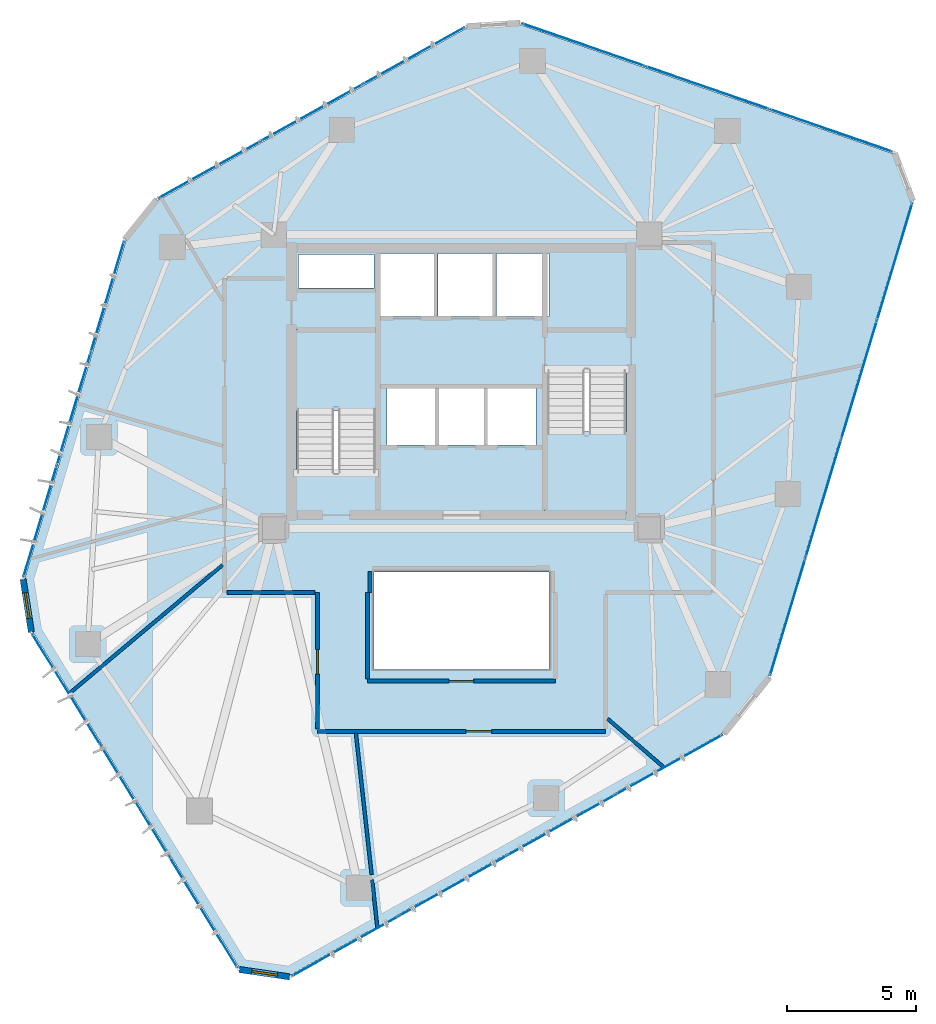
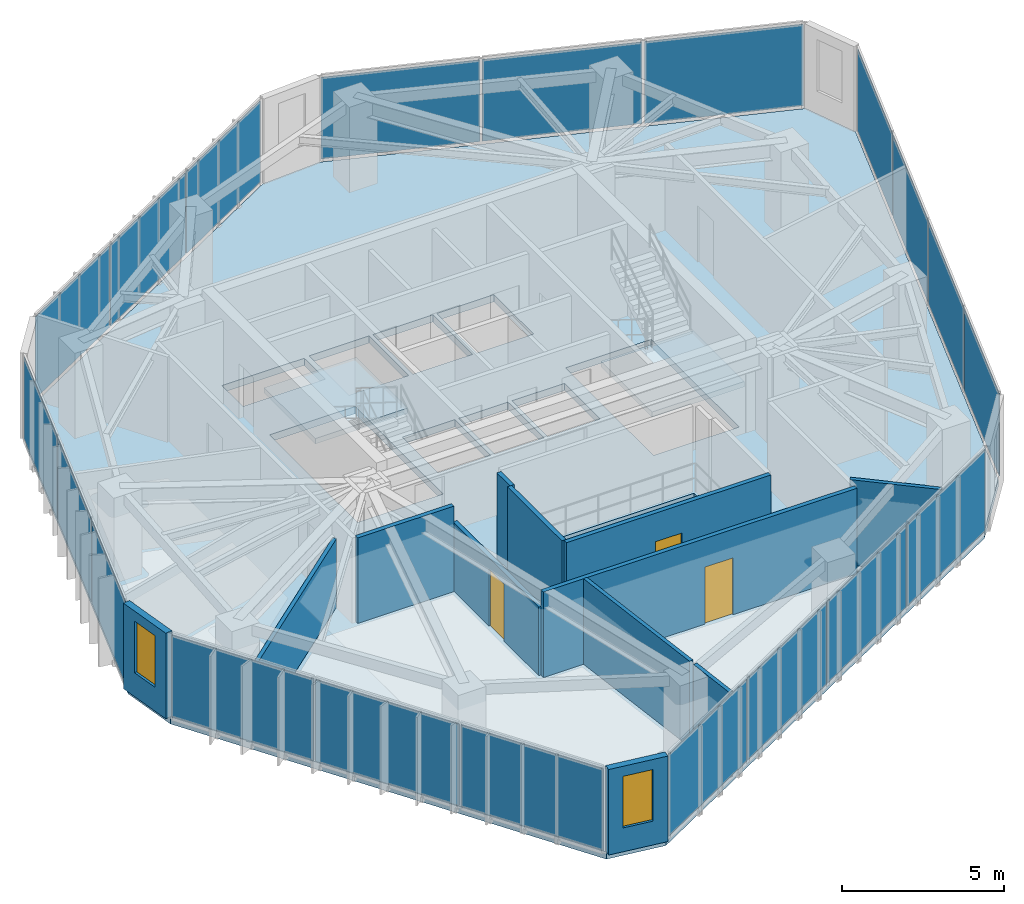
# One storey, part 15 of 19: 20 plates, 12 walls, 3 doors, 3 slabs, 2 windows, 5 openings, 8 elements without a shape of their own.
"""IFC4 building model written with IfcOpenShell, lengths in metres."""

from ifc_helpers import new_model, si_unit, direction, frame, frame_2d, origin, origin_2d, place, context, subcontext, project, spatial, polyline, rectangle, outline, extrude, source, transform, mapped, material, layer, layer_set, type_object, type_shapes, element, fill, aggregate, save


model = new_model("IFC4")

# Units and contexts
model_context = context("Model", 3, precision=1e-05, world=origin(), true_north=direction((0.0, 1.0)))
body_context = subcontext(model_context, "Body", "Model", "MODEL_VIEW")
ifc_project = project(units=[si_unit("LENGTHUNIT", "METRE"), si_unit("AREAUNIT", "SQUARE_METRE"), si_unit("VOLUMEUNIT", "CUBIC_METRE"), si_unit("PLANEANGLEUNIT", "RADIAN"), si_unit("MASSUNIT", "GRAM", prefix="KILO")], contexts=[model_context])

# Site, building, storey
site_placement = place(None, origin())
site = spatial("IfcSite", under=ifc_project, at=site_placement, CompositionType="ELEMENT")
building_placement = place(site_placement, origin())
building = spatial("IfcBuilding", under=site, at=building_placement, Name="Talar Marvaseh", CompositionType="ELEMENT")
storey_placement = place(building_placement, frame((0.0, 0.0, 177.5)))
storey = spatial("IfcBuildingStorey", under=building, at=storey_placement, Name="L46", CompositionType="ELEMENT", Elevation=177.5)

# Stair, slab
ifc_material_1 = material(Name="Concrete C40/50", Category="concrete")
stair_type = type_object("IfcStairType", Name="Reinforced Concrete High-Rise Exit Stair Type C", PredefinedType="HALF_TURN_STAIR", material=ifc_material_1)
stair_1_placement = place(storey_placement, origin())
stair_1 = element("IfcStair", 1, at=stair_1_placement, inside=storey, type_object=stair_type, Name="L46 Tower West Core Exit Stair", PredefinedType="HALF_TURN_STAIR")
ifc_layer_1 = layer(ifc_material_1, 0.199951171875)
ifc_layer_set_1 = layer_set([ifc_layer_1], Name="Concrete C40/50")
slab_type_1 = type_object("IfcSlabType", Name="Reinforced Concrete Stair Half-Landing Slab 200", PredefinedType="LANDING", material=ifc_layer_set_1)
slab_1_placement = place(storey_placement, frame((0.0, 0.0, 1.550048828125)))
slab_1 = element("IfcSlab", 2, at=slab_1_placement, type_object=slab_type_1, Name="ST-1 landing 1", PredefinedType="LANDING", context=body_context, shape_type="SweptSolid", body=[
    extrude(outline(polyline([(22.780029296875, 30.050048828125), (22.780029296875, 33.219970703125), (19.47998046875, 33.219970703125), (19.47998046875, 30.050048828125), (22.780029296875, 30.050048828125)])), origin(), (0.0, 0.0, 1.0), 0.199951171875),
])
aggregate(stair_1, [slab_1])

stair_2_placement = place(storey_placement, origin())
stair_2 = element("IfcStair", 3, at=stair_2_placement, inside=storey, type_object=stair_type, Name="L46 Tower East Core Exit Stair", PredefinedType="HALF_TURN_STAIR")
slab_2_placement = place(storey_placement, frame((0.0, 0.0, 1.550048828125)))
slab_2 = element("IfcSlab", 4, at=slab_2_placement, type_object=slab_type_1, Name="ST-2 landing 1", PredefinedType="LANDING", context=body_context, shape_type="SweptSolid", body=[
    extrude(outline(polyline([(29.219970703125, 29.25), (29.219970703125, 26.080078125), (32.52001953125, 26.080078125), (32.52001953125, 29.25), (29.219970703125, 29.25)])), origin(), (0.0, 0.0, 1.0), 0.199951171875),
])
aggregate(stair_2, [slab_2])

# Slab
ifc_layer_2 = layer(ifc_material_1, 0.27001953125)
ifc_layer_set_2 = layer_set([ifc_layer_2], Name="Concrete C40/50")
slab_type_2 = type_object("IfcSlabType", Name="Structural Suspended Floor Slab 270", PredefinedType="FLOOR", material=ifc_layer_set_2)
slab_3_placement = place(storey_placement, frame((0.0, 0.0, -0.27001953125)))
element("IfcSlab", 5, at=slab_3_placement, inside=storey, type_object=slab_type_2, Name="L46 Tower Floor Slab", PredefinedType="FLOOR", context=body_context, shape_type="SweptSolid", body=[
    extrude(outline(polyline([(19.3349609375, 8.11181640625), (17.378173828125, 8.39794921875), (9.341552734375, 21.463134765625), (9.019287109375, 23.52685546875), (12.961181640625, 36.680419921875), (14.21484375, 38.24267578125), (26.203857421875, 44.938232421875), (28.2880859375, 45.0703125), (42.783203125, 40.052001953125), (43.486083984375, 38.203369140625), (37.924560546875, 19.734375), (36.162353515625, 17.538818359375), (19.3349609375, 8.11181640625)]), holes=[polyline([(22.659912109375, 27.64990234375), (22.659912109375, 33.10009765625), (19.60009765625, 33.10009765625), (19.60009765625, 27.64990234375), (22.659912109375, 27.64990234375)]), polyline([(29.340087890625, 31.64990234375), (29.340087890625, 26.199951171875), (32.39990234375, 26.199951171875), (32.39990234375, 31.64990234375), (29.340087890625, 31.64990234375)]), polyline([(22.800048828125, 33.719970703125), (24.93994140625, 33.719970703125), (24.93994140625, 36.179931640625), (22.800048828125, 36.179931640625), (22.800048828125, 33.719970703125)]), polyline([(25.080078125, 33.719970703125), (27.219970703125, 33.719970703125), (27.219970703125, 36.179931640625), (25.080078125, 36.179931640625), (25.080078125, 33.719970703125)]), polyline([(27.360107421875, 33.719970703125), (29.39990234375, 33.719970703125), (29.39990234375, 36.179931640625), (27.360107421875, 36.179931640625), (27.360107421875, 33.719970703125)]), polyline([(23.10009765625, 28.719970703125), (24.97998046875, 28.719970703125), (24.97998046875, 30.93994140625), (23.10009765625, 30.93994140625), (23.10009765625, 28.719970703125)]), polyline([(25.1201171875, 28.719970703125), (26.8798828125, 28.719970703125), (26.8798828125, 30.93994140625), (25.1201171875, 30.93994140625), (25.1201171875, 28.719970703125)]), polyline([(27.02001953125, 28.719970703125), (28.89990234375, 28.719970703125), (28.89990234375, 30.93994140625), (27.02001953125, 30.93994140625), (27.02001953125, 28.719970703125)]), polyline([(19.659912109375, 34.840087890625), (22.60009765625, 34.840087890625), (22.60009765625, 36.139892578125), (19.659912109375, 36.139892578125), (19.659912109375, 34.840087890625)]), polyline([(22.60009765625, 20.0), (29.39990234375, 20.0), (29.39990234375, 23.800048828125), (22.60009765625, 23.800048828125), (22.60009765625, 20.0)])]), origin(), (0.0, 0.0, 1.0), 0.27001953125),
])

# Curtain wall, plates
ifc_material_2 = material(Name="Architectural Aluminium", Category="aluminium")
ifc_layer_3 = layer(ifc_material_2, 0.18994140625)
ifc_layer_set_3 = layer_set([ifc_layer_3], Name="Architectural Aluminium")
curtain_wall_type = type_object("IfcCurtainWallType", Name="Unitised Solar Atelier Curtain Wall Z3", PredefinedType="NOTDEFINED", material=ifc_layer_set_3)
curtain_wall_1_placement = place(storey_placement, origin())
curtain_wall_1 = element("IfcCurtainWall", 6, at=curtain_wall_1_placement, inside=storey, type_object=curtain_wall_type, Name="L46 Unitised Solar Atelier Curtain Wall Z3", PredefinedType="NOTDEFINED")
ifc_material_3 = material(Name="Laminated Low-E Solar Glass", Category="glass")
ifc_layer_4 = layer(ifc_material_3, 0.028076171875)
ifc_layer_set_4 = layer_set([ifc_layer_4], Name="Laminated Low-E Solar Glass")
plate_type = type_object("IfcPlateType", Name="Double-Glazed Low-E Vision Curtain Panel 28", PredefinedType="CURTAIN_PANEL", material=ifc_layer_set_4)
shared_shape_1 = source(origin(), body_context, "Body", "SweptSolid", [
    extrude(rectangle(XDim=5.00048828125, YDim=0.028076171875, at=origin_2d()), origin(), (0.0, 0.0, 1.0), 3.080078125),
])
plate_1_placement = place(storey_placement, frame((15.977783203125, 10.56005859375, 0.074951171875), z_axis=(0.0, 0.0, 1.0), x_axis=(-0.523926093732, 0.851763727983, 0.0)))
plate_1 = element("IfcPlate", 7, at=plate_1_placement, type_object=plate_type, Name="CW-Z3 panel 1.1", PredefinedType="CURTAIN_PANEL", context=body_context, shape_type="MappedRepresentation", body=[
    mapped(shared_shape_1, transform((0.0, 0.0, 0.0), x_axis=(1.0, 0.0, 0.0), y_axis=(0.0, 1.0, 0.0), z_axis=(0.0, 0.0, 1.0), scale=1.0)),
])
plate_2_placement = place(storey_placement, frame((10.6396484375, 19.23828125, 0.074951171875), z_axis=(0.0, 0.0, 1.0), x_axis=(-0.523926093732, 0.851763727983, 0.0)))
plate_2 = element("IfcPlate", 8, at=plate_2_placement, type_object=plate_type, Name="CW-Z3 panel 3.1", PredefinedType="CURTAIN_PANEL", context=body_context, shape_type="MappedRepresentation", body=[
    mapped(shared_shape_1, transform((0.0, 0.0, 0.0), x_axis=(1.0, 0.0, 0.0), y_axis=(0.0, 1.0, 0.0), z_axis=(0.0, 0.0, 1.0), scale=1.0)),
])

curtain_wall_2_placement = place(storey_placement, origin())
curtain_wall_2 = element("IfcCurtainWall", 9, at=curtain_wall_2_placement, inside=storey, type_object=curtain_wall_type, Name="L46 Unitised Solar Atelier Curtain Wall Z3", PredefinedType="NOTDEFINED")
plate_3_placement = place(storey_placement, frame((30.7412109375, 44.284423828125, 0.074951171875), z_axis=(0.0, 0.0, 1.0), x_axis=(0.944969950631, -0.327157137174, 0.0)))
plate_3 = element("IfcPlate", 10, at=plate_3_placement, type_object=plate_type, Name="CW-Z3 panel 1.1", PredefinedType="CURTAIN_PANEL", context=body_context, shape_type="MappedRepresentation", body=[
    mapped(shared_shape_1, transform((0.0, 0.0, 0.0), x_axis=(1.0, 0.0, 0.0), y_axis=(0.0, 1.0, 0.0), z_axis=(0.0, 0.0, 1.0), scale=1.0)),
])
plate_4_placement = place(storey_placement, frame((40.369140625, 40.951171875, 0.074951171875), z_axis=(0.0, 0.0, 1.0), x_axis=(0.944969950631, -0.327157137174, 0.0)))
plate_4 = element("IfcPlate", 11, at=plate_4_placement, type_object=plate_type, Name="CW-Z3 panel 3.1", PredefinedType="CURTAIN_PANEL", context=body_context, shape_type="MappedRepresentation", body=[
    mapped(shared_shape_1, transform((0.0, 0.0, 0.0), x_axis=(1.0, 0.0, 0.0), y_axis=(0.0, 1.0, 0.0), z_axis=(0.0, 0.0, 1.0), scale=1.0)),
])

# Plate
shared_shape_2 = source(origin(), body_context, "Body", "SweptSolid", [
    extrude(rectangle(XDim=5.0380859375, YDim=0.028076171875, at=origin_2d()), origin(), (0.0, 0.0, 1.0), 3.080078125),
])
plate_5_placement = place(storey_placement, frame((13.308837890625, 14.899169921875, 0.074951171875), z_axis=(0.0, 0.0, 1.0), x_axis=(-0.523926093732, 0.851763727983, 0.0)))
plate_5 = element("IfcPlate", 12, at=plate_5_placement, type_object=plate_type, Name="CW-Z3 panel 2.1", PredefinedType="CURTAIN_PANEL", context=body_context, shape_type="MappedRepresentation", body=[
    mapped(shared_shape_2, transform((0.0, 0.0, 0.0), x_axis=(1.0, 0.0, 0.0), y_axis=(0.0, 1.0, 0.0), z_axis=(0.0, 0.0, 1.0), scale=1.0)),
])

aggregate(curtain_wall_1, [plate_1, plate_5, plate_2])

plate_6_placement = place(storey_placement, frame((35.55517578125, 42.61767578125, 0.074951171875), z_axis=(0.0, 0.0, 1.0), x_axis=(0.944969950631, -0.327157137174, 0.0)))
plate_6 = element("IfcPlate", 13, at=plate_6_placement, type_object=plate_type, Name="CW-Z3 panel 2.1", PredefinedType="CURTAIN_PANEL", context=body_context, shape_type="MappedRepresentation", body=[
    mapped(shared_shape_2, transform((0.0, 0.0, 0.0), x_axis=(1.0, 0.0, 0.0), y_axis=(0.0, 1.0, 0.0), z_axis=(0.0, 0.0, 1.0), scale=1.0)),
])

aggregate(curtain_wall_2, [plate_3, plate_6, plate_4])

# Curtain wall, plates
curtain_wall_3_placement = place(storey_placement, origin())
curtain_wall_3 = element("IfcCurtainWall", 14, at=curtain_wall_3_placement, inside=storey, type_object=curtain_wall_type, Name="L46 Unitised Solar Atelier Curtain Wall Z3", PredefinedType="NOTDEFINED")
shared_shape_3 = source(origin(), body_context, "Body", "SweptSolid", [
    extrude(rectangle(XDim=4.46484375, YDim=0.028076171875, at=origin_2d()), origin(), (0.0, 0.0, 1.0), 3.080078125),
])
plate_7_placement = place(storey_placement, frame((16.2001953125, 39.420166015625, 0.074951171875), z_axis=(0.0, 0.0, 1.0), x_axis=(0.873073059785, 0.487589409522, 0.0)))
plate_7 = element("IfcPlate", 15, at=plate_7_placement, type_object=plate_type, Name="CW-Z3 panel 1.1", PredefinedType="CURTAIN_PANEL", context=body_context, shape_type="MappedRepresentation", body=[
    mapped(shared_shape_3, transform((0.0, 0.0, 0.0), x_axis=(1.0, 0.0, 0.0), y_axis=(0.0, 1.0, 0.0), z_axis=(0.0, 0.0, 1.0), scale=1.0)),
])
plate_8_placement = place(storey_placement, frame((24.159912109375, 43.865478515625, 0.074951171875), z_axis=(0.0, 0.0, 1.0), x_axis=(0.873073059785, 0.487589409522, 0.0)))
plate_8 = element("IfcPlate", 16, at=plate_8_placement, type_object=plate_type, Name="CW-Z3 panel 3.1", PredefinedType="CURTAIN_PANEL", context=body_context, shape_type="MappedRepresentation", body=[
    mapped(shared_shape_3, transform((0.0, 0.0, 0.0), x_axis=(1.0, 0.0, 0.0), y_axis=(0.0, 1.0, 0.0), z_axis=(0.0, 0.0, 1.0), scale=1.0)),
])

# Curtain wall, plate
curtain_wall_4_placement = place(storey_placement, origin())
curtain_wall_4 = element("IfcCurtainWall", 17, at=curtain_wall_4_placement, inside=storey, type_object=curtain_wall_type, Name="L46 Unitised Solar Atelier Curtain Wall Z3", PredefinedType="NOTDEFINED")
shared_shape_4 = source(origin(), body_context, "Body", "SweptSolid", [
    extrude(rectangle(XDim=4.502197265625, YDim=0.028076171875, at=origin_2d()), origin(), (0.0, 0.0, 1.0), 3.080078125),
])
plate_9_placement = place(storey_placement, frame((10.9326171875, 30.120849609375, 0.074951171875), z_axis=(0.0, 0.0, 1.0), x_axis=(0.287059914853, 0.957912629254, 0.0)))
plate_9 = element("IfcPlate", 18, at=plate_9_placement, type_object=plate_type, Name="CW-Z3 panel 2.1", PredefinedType="CURTAIN_PANEL", context=body_context, shape_type="MappedRepresentation", body=[
    mapped(shared_shape_4, transform((0.0, 0.0, 0.0), x_axis=(1.0, 0.0, 0.0), y_axis=(0.0, 1.0, 0.0), z_axis=(0.0, 0.0, 1.0), scale=1.0)),
])

# Plate
plate_10_placement = place(storey_placement, frame((20.179931640625, 41.642822265625, 0.074951171875), z_axis=(0.0, 0.0, 1.0), x_axis=(0.873073059785, 0.487589409522, 0.0)))
plate_10 = element("IfcPlate", 19, at=plate_10_placement, type_object=plate_type, Name="CW-Z3 panel 2.1", PredefinedType="CURTAIN_PANEL", context=body_context, shape_type="MappedRepresentation", body=[
    mapped(shared_shape_4, transform((0.0, 0.0, 0.0), x_axis=(1.0, 0.0, 0.0), y_axis=(0.0, 1.0, 0.0), z_axis=(0.0, 0.0, 1.0), scale=1.0)),
])

aggregate(curtain_wall_3, [plate_7, plate_10, plate_8])

# Curtain wall, plates
curtain_wall_5_placement = place(storey_placement, origin())
curtain_wall_5 = element("IfcCurtainWall", 20, at=curtain_wall_5_placement, inside=storey, type_object=curtain_wall_type, Name="L46 Unitised Solar Atelier Curtain Wall Z3", PredefinedType="NOTDEFINED")
shared_shape_5 = source(origin(), body_context, "Body", "SweptSolid", [
    extrude(rectangle(XDim=4.70947265625, YDim=0.028076171875, at=origin_2d()), origin(), (0.0, 0.0, 1.0), 3.080078125),
])
plate_11_placement = place(storey_placement, frame((42.843017578125, 35.859619140625, 0.074951171875), z_axis=(0.0, 0.0, 1.0), x_axis=(-0.288346578779, -0.957526109569, 0.0)))
plate_11 = element("IfcPlate", 21, at=plate_11_placement, type_object=plate_type, Name="CW-Z3 panel 1.1", PredefinedType="CURTAIN_PANEL", context=body_context, shape_type="MappedRepresentation", body=[
    mapped(shared_shape_5, transform((0.0, 0.0, 0.0), x_axis=(1.0, 0.0, 0.0), y_axis=(0.0, 1.0, 0.0), z_axis=(0.0, 0.0, 1.0), scale=1.0)),
])
plate_12_placement = place(storey_placement, frame((38.6826171875, 22.043701171875, 0.074951171875), z_axis=(0.0, 0.0, 1.0), x_axis=(-0.288346578779, -0.957526109569, 0.0)))
plate_12 = element("IfcPlate", 22, at=plate_12_placement, type_object=plate_type, Name="CW-Z3 panel 4.1", PredefinedType="CURTAIN_PANEL", context=body_context, shape_type="MappedRepresentation", body=[
    mapped(shared_shape_5, transform((0.0, 0.0, 0.0), x_axis=(1.0, 0.0, 0.0), y_axis=(0.0, 1.0, 0.0), z_axis=(0.0, 0.0, 1.0), scale=1.0)),
])

curtain_wall_6_placement = place(storey_placement, origin())
curtain_wall_6 = element("IfcCurtainWall", 23, at=curtain_wall_6_placement, inside=storey, type_object=curtain_wall_type, Name="L46 Unitised Solar Atelier Curtain Wall Z3", PredefinedType="NOTDEFINED")
plate_13_placement = place(storey_placement, frame((34.072021484375, 16.299072265625, 0.074951171875), z_axis=(0.0, 0.0, 1.0), x_axis=(-0.872420776916, -0.488755550357, 0.0)))
plate_13 = element("IfcPlate", 24, at=plate_13_placement, type_object=plate_type, Name="CW-Z3 panel 1.1", PredefinedType="CURTAIN_PANEL", context=body_context, shape_type="MappedRepresentation", body=[
    mapped(shared_shape_5, transform((0.0, 0.0, 0.0), x_axis=(1.0, 0.0, 0.0), y_axis=(0.0, 1.0, 0.0), z_axis=(0.0, 0.0, 1.0), scale=1.0)),
])
plate_14_placement = place(storey_placement, frame((21.484130859375, 9.2470703125, 0.074951171875), z_axis=(0.0, 0.0, 1.0), x_axis=(-0.872420776916, -0.488755550357, 0.0)))
plate_14 = element("IfcPlate", 25, at=plate_14_placement, type_object=plate_type, Name="CW-Z3 panel 4.1", PredefinedType="CURTAIN_PANEL", context=body_context, shape_type="MappedRepresentation", body=[
    mapped(shared_shape_5, transform((0.0, 0.0, 0.0), x_axis=(1.0, 0.0, 0.0), y_axis=(0.0, 1.0, 0.0), z_axis=(0.0, 0.0, 1.0), scale=1.0)),
])

# Plate
shared_shape_6 = source(origin(), body_context, "Body", "SweptSolid", [
    extrude(rectangle(XDim=4.7470703125, YDim=0.028076171875, at=origin_2d()), origin(), (0.0, 0.0, 1.0), 3.080078125),
])
plate_15_placement = place(storey_placement, frame((41.4580078125, 31.26025390625, 0.074951171875), z_axis=(0.0, 0.0, 1.0), x_axis=(-0.288346578779, -0.957526109569, 0.0)))
plate_15 = element("IfcPlate", 26, at=plate_15_placement, type_object=plate_type, Name="CW-Z3 panel 2.1", PredefinedType="CURTAIN_PANEL", context=body_context, shape_type="MappedRepresentation", body=[
    mapped(shared_shape_6, transform((0.0, 0.0, 0.0), x_axis=(1.0, 0.0, 0.0), y_axis=(0.0, 1.0, 0.0), z_axis=(0.0, 0.0, 1.0), scale=1.0)),
])

plate_16_placement = place(storey_placement, frame((40.067626953125, 26.64306640625, 0.074951171875), z_axis=(0.0, 0.0, 1.0), x_axis=(-0.288346578779, -0.957526109569, 0.0)))
plate_16 = element("IfcPlate", 27, at=plate_16_placement, type_object=plate_type, Name="CW-Z3 panel 3.1", PredefinedType="CURTAIN_PANEL", context=body_context, shape_type="MappedRepresentation", body=[
    mapped(shared_shape_6, transform((0.0, 0.0, 0.0), x_axis=(1.0, 0.0, 0.0), y_axis=(0.0, 1.0, 0.0), z_axis=(0.0, 0.0, 1.0), scale=1.0)),
])

aggregate(curtain_wall_5, [plate_11, plate_15, plate_16, plate_12])

plate_17_placement = place(storey_placement, frame((29.88134765625, 13.951416015625, 0.074951171875), z_axis=(0.0, 0.0, 1.0), x_axis=(-0.872420776916, -0.488755550357, 0.0)))
plate_17 = element("IfcPlate", 28, at=plate_17_placement, type_object=plate_type, Name="CW-Z3 panel 2.1", PredefinedType="CURTAIN_PANEL", context=body_context, shape_type="MappedRepresentation", body=[
    mapped(shared_shape_6, transform((0.0, 0.0, 0.0), x_axis=(1.0, 0.0, 0.0), y_axis=(0.0, 1.0, 0.0), z_axis=(0.0, 0.0, 1.0), scale=1.0)),
])

plate_18_placement = place(storey_placement, frame((25.674560546875, 11.594482421875, 0.074951171875), z_axis=(0.0, 0.0, 1.0), x_axis=(-0.872420776916, -0.488755550357, 0.0)))
plate_18 = element("IfcPlate", 29, at=plate_18_placement, type_object=plate_type, Name="CW-Z3 panel 3.1", PredefinedType="CURTAIN_PANEL", context=body_context, shape_type="MappedRepresentation", body=[
    mapped(shared_shape_6, transform((0.0, 0.0, 0.0), x_axis=(1.0, 0.0, 0.0), y_axis=(0.0, 1.0, 0.0), z_axis=(0.0, 0.0, 1.0), scale=1.0)),
])

aggregate(curtain_wall_6, [plate_13, plate_17, plate_18, plate_14])

shared_shape_7 = source(origin(), body_context, "Body", "SweptSolid", [
    extrude(rectangle(XDim=4.464599609375, YDim=0.028076171875, at=origin_2d()), origin(), (0.0, 0.0, 1.0), 3.080078125),
])
type_shapes(plate_type, [shared_shape_1, shared_shape_2, shared_shape_3, shared_shape_4, shared_shape_5, shared_shape_6, shared_shape_7])
plate_19_placement = place(storey_placement, frame((9.624267578125, 25.754150390625, 0.074951171875), z_axis=(0.0, 0.0, 1.0), x_axis=(0.287059914853, 0.957912629254, 0.0)))
plate_19 = element("IfcPlate", 30, at=plate_19_placement, type_object=plate_type, Name="CW-Z3 panel 1.1", PredefinedType="CURTAIN_PANEL", context=body_context, shape_type="MappedRepresentation", body=[
    mapped(shared_shape_7, transform((0.0, 0.0, 0.0), x_axis=(1.0, 0.0, 0.0), y_axis=(0.0, 1.0, 0.0), z_axis=(0.0, 0.0, 1.0), scale=1.0)),
])

plate_20_placement = place(storey_placement, frame((12.2412109375, 34.487548828125, 0.074951171875), z_axis=(0.0, 0.0, 1.0), x_axis=(0.287059914853, 0.957912629254, 0.0)))
plate_20 = element("IfcPlate", 31, at=plate_20_placement, type_object=plate_type, Name="CW-Z3 panel 3.1", PredefinedType="CURTAIN_PANEL", context=body_context, shape_type="MappedRepresentation", body=[
    mapped(shared_shape_7, transform((0.0, 0.0, 0.0), x_axis=(1.0, 0.0, 0.0), y_axis=(0.0, 1.0, 0.0), z_axis=(0.0, 0.0, 1.0), scale=1.0)),
])

aggregate(curtain_wall_4, [plate_19, plate_9, plate_20])

# Wall, opening, window
ifc_material_4 = material(Name="Precast concrete C45/55", Category="concrete")
ifc_layer_5 = layer(ifc_material_4, 0.239990234375)
ifc_layer_set_5 = layer_set([ifc_layer_5], Name="Precast concrete C45/55")
wall_type_1 = type_object("IfcWallType", Name="Chamfered Hexagonal Corner Pier Wall Z3 240", PredefinedType="SOLIDWALL", material=ifc_layer_set_5)
wall_1_placement = place(storey_placement, frame((19.326416015625, 8.05224609375, 0.0), z_axis=(0.0, 0.0, 1.0), x_axis=(-0.989462358123, 0.144790337585, 0.0)))
wall_1 = element("IfcWall", 32, at=wall_1_placement, inside=storey, type_object=wall_type_1, Name="L46 Chamfered Corner Limestone Pier 1", PredefinedType="SOLIDWALL", context=body_context, shape_type="SweptSolid", body=[
    extrude(rectangle(XDim=1.977783203125, YDim=0.239990234375, at=frame_2d((0.98876953125, 0.0))), origin(), (0.0, 0.0, 1.0), 3.22998046875),
])
opening_1_placement = place(wall_1_placement, frame((0.489013671875, 0.0, 0.89990234375)))
opening_1 = element("IfcOpeningElement", 33, at=opening_1_placement, cuts=wall_1, Name="Opening WN-CHM10", PredefinedType="OPENING", context=body_context, shape_type="SweptSolid", body=[
    extrude(rectangle(XDim=1.0, YDim=1.949951171875, at=frame_2d((0.5, 0.97509765625))), frame((0.0, 0.1298828125, 0.0), z_axis=(0.0, -1.0, 0.0), x_axis=(1.0, 0.0, 0.0)), (0.0, 0.0, 1.0), 0.260009765625),
])
window_type = type_object("IfcWindowType", Name="Zone 3 Chamfered Corner Slot Window 1000x1950", PartitioningType="SINGLE_PANEL", PredefinedType="WINDOW", material=ifc_material_3)
shared_shape_8 = source(origin(), body_context, "Body", "SweptSolid", [
    extrude(rectangle(XDim=1.0, YDim=1.949951171875, at=frame_2d((0.5, 0.97509765625))), frame((0.0, 0.030029296875, 0.0), z_axis=(0.0, -1.0, 0.0), x_axis=(1.0, 0.0, 0.0)), (0.0, 0.0, 1.0), 0.06005859375),
])
type_shapes(window_type, [shared_shape_8])
window_1_placement = place(opening_1_placement, origin())
window_1 = element("IfcWindow", 34, at=window_1_placement, inside=storey, type_object=window_type, Name="L46 Chamfered Corner Slot Window", OverallHeight=1.949951171875, OverallWidth=1.0, PartitioningType="SINGLE_PANEL", PredefinedType="WINDOW", context=body_context, shape_type="MappedRepresentation", body=[
    mapped(shared_shape_8, transform((0.0, 0.0, 0.0), x_axis=(1.0, 0.0, 0.0), y_axis=(0.0, 1.0, 0.0), z_axis=(0.0, 0.0, 1.0), scale=1.0)),
])
fill(opening_1, window_1)

wall_2_placement = place(storey_placement, frame((9.2822265625, 21.453857421875, 0.0), z_axis=(0.0, 0.0, 1.0), x_axis=(-0.154287739778, 0.988025957834, 0.0)))
wall_2 = element("IfcWall", 35, at=wall_2_placement, inside=storey, type_object=wall_type_1, Name="L46 Chamfered Corner Limestone Pier 2", PredefinedType="SOLIDWALL", context=body_context, shape_type="SweptSolid", body=[
    extrude(rectangle(XDim=2.088623046875, YDim=0.239990234375, at=frame_2d((1.04443359375, 0.0))), origin(), (0.0, 0.0, 1.0), 3.22998046875),
])
opening_2_placement = place(wall_2_placement, frame((0.5439453125, 0.0, 0.89990234375)))
opening_2 = element("IfcOpeningElement", 36, at=opening_2_placement, cuts=wall_2, Name="Opening WN-CHM10", PredefinedType="OPENING", context=body_context, shape_type="SweptSolid", body=[
    extrude(rectangle(XDim=1.0, YDim=1.949951171875, at=frame_2d((0.5, 0.97509765625))), frame((0.0, 0.1298828125, 0.0), z_axis=(0.0, -1.0, 0.0), x_axis=(1.0, 0.0, 0.0)), (0.0, 0.0, 1.0), 0.260009765625),
])
window_2_placement = place(opening_2_placement, origin())
window_2 = element("IfcWindow", 37, at=window_2_placement, inside=storey, type_object=window_type, Name="L46 Chamfered Corner Slot Window", OverallHeight=1.949951171875, OverallWidth=1.0, PartitioningType="SINGLE_PANEL", PredefinedType="WINDOW", context=body_context, shape_type="MappedRepresentation", body=[
    mapped(shared_shape_8, transform((0.0, 0.0, 0.0), x_axis=(1.0, 0.0, 0.0), y_axis=(0.0, 1.0, 0.0), z_axis=(0.0, 0.0, 1.0), scale=1.0)),
])
fill(opening_2, window_2)

# Wall, opening, door
ifc_material_5 = material(Name="Gypsum Board Partition Assembly")
ifc_layer_6 = layer(ifc_material_5, 0.155029296875)
ifc_layer_set_6 = layer_set([ifc_layer_6], Name="Gypsum Board Partition Assembly")
wall_type_2 = type_object("IfcWallType", Name="Corridor Fire-Rated Acoustic Partition 155", PredefinedType="PARTITIONING", material=ifc_layer_set_6)
wall_3_placement = place(storey_placement, frame((31.60009765625, 17.60009765625, 0.0), z_axis=(0.0, 0.0, 1.0), x_axis=(-1.0, 0.0, 0.0)))
wall_3 = element("IfcWall", 38, at=wall_3_placement, inside=storey, type_object=wall_type_2, Name="L46 Interior Partition Wall", PredefinedType="PARTITIONING", context=body_context, shape_type="SweptSolid", body=[
    extrude(rectangle(XDim=11.2001953125, YDim=0.155029296875, at=frame_2d((5.60009765625, 0.0))), origin(), (0.0, 0.0, 1.0), 3.22998046875),
])
opening_3_placement = place(wall_3_placement, frame((4.42333984375, 0.0, 0.0)))
opening_3 = element("IfcOpeningElement", 39, at=opening_3_placement, cuts=wall_3, Name="Opening DR-RM100", PredefinedType="OPENING", context=body_context, shape_type="SweptSolid", body=[
    extrude(rectangle(XDim=1.0, YDim=2.14990234375, at=frame_2d((0.5, 1.074951171875))), frame((0.0, 0.08740234375, 0.0), z_axis=(0.0, -1.0, 0.0), x_axis=(1.0, 0.0, 0.0)), (0.0, 0.0, 1.0), 0.175048828125),
])
ifc_material_6 = material(Name="Acoustic Engineered Oak Timber", Category="wood")
door_type_1 = type_object("IfcDoorType", Name="Corridor Fire-Rated Gallery Door 1000x2150", OperationType="NOTDEFINED", PredefinedType="DOOR", material=ifc_material_6)
shared_shape_9 = source(origin(), body_context, "Body", "SweptSolid", [
    extrude(rectangle(XDim=1.0, YDim=2.14990234375, at=frame_2d((0.5, 1.074951171875))), frame((0.0, 0.02490234375, 0.0), z_axis=(0.0, -1.0, 0.0), x_axis=(1.0, 0.0, 0.0)), (0.0, 0.0, 1.0), 0.050048828125),
])
type_shapes(door_type_1, [shared_shape_9])
door_1_placement = place(opening_3_placement, origin())
door_1 = element("IfcDoor", 40, at=door_1_placement, inside=storey, type_object=door_type_1, Name="L46 Colloquium Boardroom Door", OperationType="SINGLE_SWING_LEFT", OverallHeight=2.14990234375, OverallWidth=1.0, PredefinedType="DOOR", context=body_context, shape_type="MappedRepresentation", body=[
    mapped(shared_shape_9, transform((0.0, 0.0, 0.0), x_axis=(1.0, 0.0, 0.0), y_axis=(0.0, 1.0, 0.0), z_axis=(0.0, 0.0, 1.0), scale=1.0)),
])
fill(opening_3, door_1)

wall_4_placement = place(storey_placement, frame((20.39990234375, 17.68359375, 0.0), z_axis=(0.0, 0.0, 1.0), x_axis=(0.0, 1.0, 0.0)))
wall_4 = element("IfcWall", 41, at=wall_4_placement, inside=storey, type_object=wall_type_2, Name="L46 Interior Partition Wall", PredefinedType="PARTITIONING", context=body_context, shape_type="SweptSolid", body=[
    extrude(rectangle(XDim=5.31640625, YDim=0.155029296875, at=frame_2d((2.658203125, 0.0))), origin(), (0.0, 0.0, 1.0), 2.589111328125),
])
opening_4_placement = place(wall_4_placement, frame((2.1416015625, 0.0, 0.0)))
opening_4 = element("IfcOpeningElement", 42, at=opening_4_placement, cuts=wall_4, Name="Opening DR-WC095", PredefinedType="OPENING", context=body_context, shape_type="SweptSolid", body=[
    extrude(rectangle(XDim=0.949951171875, YDim=2.14990234375, at=frame_2d((0.47509765625, 1.074951171875))), frame((0.0, 0.08740234375, 0.0), z_axis=(0.0, -1.0, 0.0), x_axis=(1.0, 0.0, 0.0)), (0.0, 0.0, 1.0), 0.175048828125),
])
door_type_2 = type_object("IfcDoorType", Name="Washroom and Service Room Door 950x2150", OperationType="NOTDEFINED", PredefinedType="DOOR", material=ifc_material_6)
shared_shape_10 = source(origin(), body_context, "Body", "SweptSolid", [
    extrude(rectangle(XDim=0.949951171875, YDim=2.14990234375, at=frame_2d((0.47509765625, 1.074951171875))), frame((0.0, 0.02490234375, 0.0), z_axis=(0.0, -1.0, 0.0), x_axis=(1.0, 0.0, 0.0)), (0.0, 0.0, 1.0), 0.050048828125),
])
type_shapes(door_type_2, [shared_shape_10])
door_2_placement = place(opening_4_placement, origin())
door_2 = element("IfcDoor", 43, at=door_2_placement, inside=storey, type_object=door_type_2, Name="L46 Rare Books Archive Room Door", OperationType="SINGLE_SWING_LEFT", OverallHeight=2.14990234375, OverallWidth=0.949951171875, PredefinedType="DOOR", context=body_context, shape_type="MappedRepresentation", body=[
    mapped(shared_shape_10, transform((0.0, 0.0, 0.0), x_axis=(1.0, 0.0, 0.0), y_axis=(0.0, 1.0, 0.0), z_axis=(0.0, 0.0, 1.0), scale=1.0)),
])
fill(opening_4, door_2)

wall_5_placement = place(storey_placement, frame((22.35009765625, 19.550048828125, 0.0), z_axis=(0.0, 0.0, 1.0), x_axis=(1.0, 0.0, 0.0)))
wall_5 = element("IfcWall", 44, at=wall_5_placement, inside=storey, type_object=wall_type_2, Name="L46 Interior Partition Wall", PredefinedType="PARTITIONING", context=body_context, shape_type="SweptSolid", body=[
    extrude(rectangle(XDim=7.2998046875, YDim=0.155029296875, at=frame_2d((3.64990234375, 0.0))), origin(), (0.0, 0.0, 1.0), 3.22998046875),
])
opening_5_placement = place(wall_5_placement, frame((3.175048828125, 0.0, 0.0)))
opening_5 = element("IfcOpeningElement", 45, at=opening_5_placement, cuts=wall_5, Name="Opening DR-WC095", PredefinedType="OPENING", context=body_context, shape_type="SweptSolid", body=[
    extrude(rectangle(XDim=0.949951171875, YDim=2.14990234375, at=frame_2d((0.47509765625, 1.074951171875))), frame((0.0, 0.08740234375, 0.0), z_axis=(0.0, -1.0, 0.0), x_axis=(1.0, 0.0, 0.0)), (0.0, 0.0, 1.0), 0.175048828125),
])
door_3_placement = place(opening_5_placement, origin())
door_3 = element("IfcDoor", 46, at=door_3_placement, inside=storey, type_object=door_type_2, Name="L46 WC Public Washrooms Door", OperationType="SINGLE_SWING_RIGHT", OverallHeight=2.14990234375, OverallWidth=0.949951171875, PredefinedType="DOOR", context=body_context, shape_type="MappedRepresentation", body=[
    mapped(shared_shape_10, transform((0.0, 0.0, 0.0), x_axis=(1.0, 0.0, 0.0), y_axis=(0.0, 1.0, 0.0), z_axis=(0.0, 0.0, 1.0), scale=1.0)),
])
fill(opening_5, door_3)

# Walls
wall_6_placement = place(storey_placement, frame((20.31640625, 23.0, 0.0), z_axis=(0.0, 0.0, 1.0), x_axis=(-1.0, 0.0, 0.0)))
element("IfcWall", 47, at=wall_6_placement, inside=storey, type_object=wall_type_2, Name="L46 Interior Partition Wall", PredefinedType="PARTITIONING", context=body_context, shape_type="SweptSolid", body=[
    extrude(rectangle(XDim=3.432861328125, YDim=0.155029296875, at=frame_2d((1.71630859375, 0.0))), origin(), (0.0, 0.0, 1.0), 3.22998046875),
])
wall_7_placement = place(storey_placement, frame((22.44091796875, 23.815673828125, 0.0), z_axis=(0.0, 0.0, 1.0), x_axis=(-0.001197245475, -0.999999283301, 0.0)))
element("IfcWall", 48, at=wall_7_placement, inside=storey, type_object=wall_type_2, Name="L46 Interior Partition Wall", PredefinedType="PARTITIONING", context=body_context, shape_type="SweptSolid", body=[
    extrude(rectangle(XDim=0.815673828125, YDim=0.155029296875, at=frame_2d((0.40771484375, 0.0))), origin(), (0.0, 0.0, 1.0), 3.22998046875),
])
wall_8_placement = place(storey_placement, frame((22.35009765625, 23.0, 0.0), z_axis=(0.0, 0.0, 1.0), x_axis=(0.0, -1.0, 0.0)))
element("IfcWall", 49, at=wall_8_placement, inside=storey, type_object=wall_type_2, Name="L46 Interior Partition Wall", PredefinedType="PARTITIONING", context=body_context, shape_type="SweptSolid", body=[
    extrude(rectangle(XDim=3.366455078125, YDim=0.155029296875, at=frame_2d((1.68310546875, 0.0))), origin(), (0.0, 0.0, 1.0), 3.22998046875),
])
ifc_layer_7 = layer(ifc_material_5, 0.135009765625)
ifc_layer_set_7 = layer_set([ifc_layer_7], Name="Gypsum Board Partition Assembly")
wall_type_3 = type_object("IfcWallType", Name="Gallery High-Acoustic Partition 135", PredefinedType="PARTITIONING", material=ifc_layer_set_7)
wall_9_placement = place(storey_placement, frame((16.716552734375, 24.06982421875, 0.0), z_axis=(0.0, 0.0, 1.0), x_axis=(-0.766106652582, -0.642713464048, 0.0)))
element("IfcWall", 50, at=wall_9_placement, inside=storey, type_object=wall_type_3, Name="L46 Interior Partition Wall", PredefinedType="PARTITIONING", context=body_context, shape_type="SweptSolid", body=[
    extrude(rectangle(XDim=7.765869140625, YDim=0.135009765625, at=frame_2d((3.8828125, 0.0))), origin(), (0.0, 0.0, 1.0), 2.589111328125),
])
wall_10_placement = place(storey_placement, frame((21.897216796875, 17.535400390625, 0.0), z_axis=(0.0, 0.0, 1.0), x_axis=(0.11062501833, -0.993862216466, 0.0)))
element("IfcWall", 51, at=wall_10_placement, inside=storey, type_object=wall_type_3, Name="L46 Interior Partition Wall", PredefinedType="PARTITIONING", context=body_context, shape_type="SweptSolid", body=[
    extrude(rectangle(XDim=5.539306640625, YDim=0.135009765625, at=frame_2d((2.76953125, 0.0))), origin(), (0.0, 0.0, 1.0), 3.22998046875),
])
wall_11_placement = place(storey_placement, frame((22.530029296875, 11.830078125, 0.0), z_axis=(0.0, 0.0, 1.0), x_axis=(0.107778491389, -0.994174932692, 0.0)))
element("IfcWall", 52, at=wall_11_placement, inside=storey, type_object=wall_type_3, Name="L46 Interior Partition Wall", PredefinedType="PARTITIONING", context=body_context, shape_type="SweptSolid", body=[
    extrude(rectangle(XDim=1.868896484375, YDim=0.135009765625, at=frame_2d((0.9345703125, 0.0))), origin(), (0.0, 0.0, 1.0), 3.22998046875),
])
wall_12_placement = place(storey_placement, frame((31.68359375, 18.087890625, 0.0), z_axis=(0.0, 0.0, 1.0), x_axis=(0.756975639631, -0.653443096991, 0.0)))
element("IfcWall", 53, at=wall_12_placement, inside=storey, type_object=wall_type_3, Name="L46 Interior Partition Wall", PredefinedType="PARTITIONING", context=body_context, shape_type="SweptSolid", body=[
    extrude(rectangle(XDim=2.876953125, YDim=0.135009765625, at=frame_2d((1.4384765625, 0.0))), origin(), (0.0, 0.0, 1.0), 3.22998046875),
])

save(model, "model.ifc")
